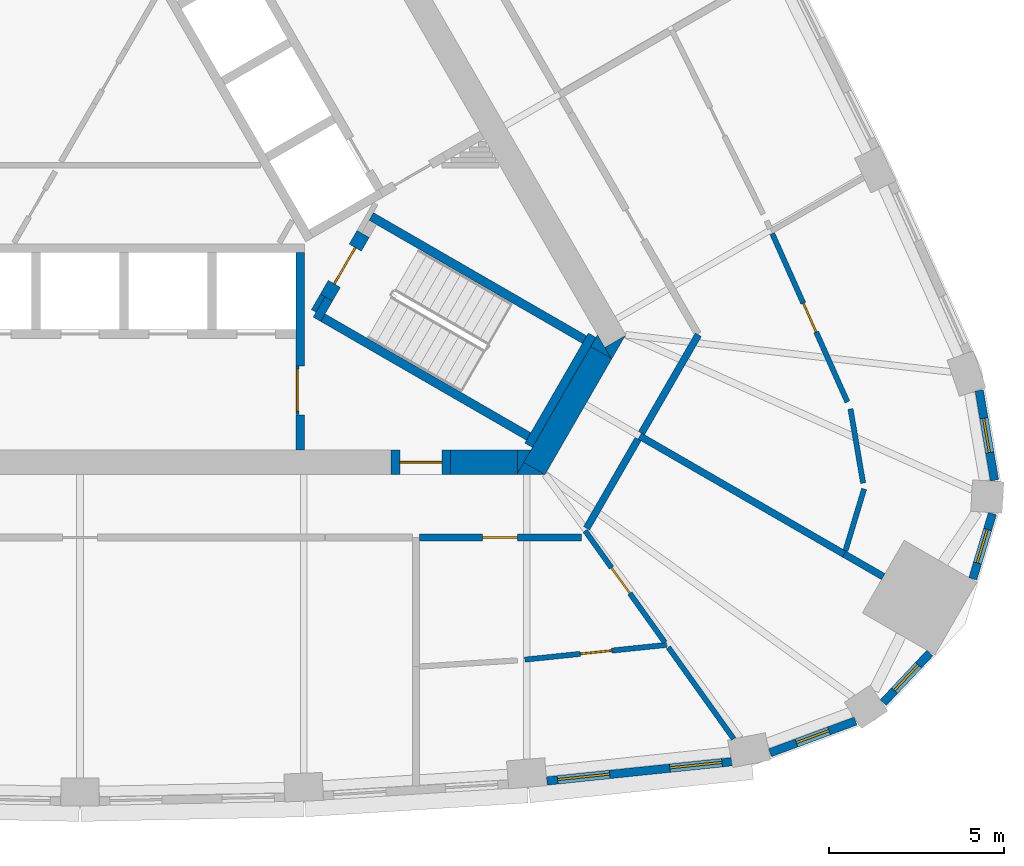
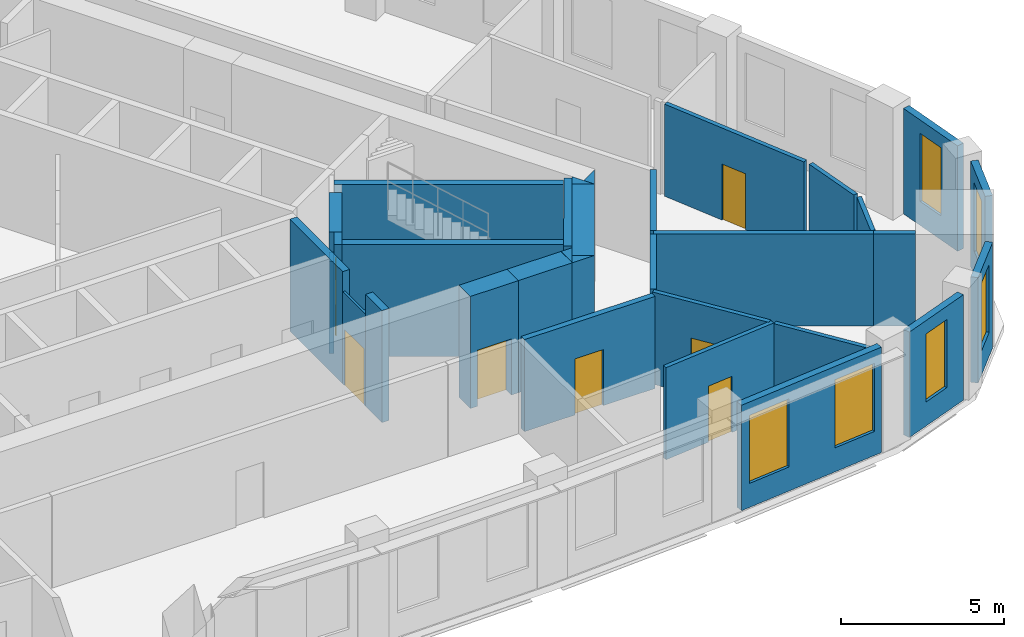
# One storey, part 6 of 10: 32 walls, 7 doors, 6 windows, 13 openings.
"""IFC4 building model written with IfcOpenShell, lengths in metres."""

from ifc_helpers import new_model, si_unit, direction, frame, frame_2d, origin, place, context, subcontext, project, spatial, polyline, rectangle, outline, extrude, material, layer, layer_set, type_object, element, fill, save


model = new_model("IFC4")

# Units and contexts
model_context = context("Model", 3, precision=1e-05, world=origin(), true_north=direction((0.0, 1.0)))
body_context = subcontext(model_context, "Body", "Model", "MODEL_VIEW")
ifc_project = project(units=[si_unit("LENGTHUNIT", "METRE"), si_unit("AREAUNIT", "SQUARE_METRE"), si_unit("VOLUMEUNIT", "CUBIC_METRE"), si_unit("PLANEANGLEUNIT", "RADIAN"), si_unit("MASSUNIT", "GRAM", prefix="KILO")], contexts=[model_context])

# Site, building, storey
site_placement = place(None, origin())
site = spatial("IfcSite", under=ifc_project, at=site_placement, CompositionType="ELEMENT")
building_placement = place(site_placement, origin())
building = spatial("IfcBuilding", under=site, at=building_placement, Name="Mestral Congress Tower", CompositionType="ELEMENT")
storey_placement = place(building_placement, frame((0.0, 0.0, 243.60009765625)))
storey = spatial("IfcBuildingStorey", under=building, at=storey_placement, Name="L57", CompositionType="ELEMENT", Elevation=243.60009765625)

# Wall
ifc_material_1 = material(Name="Fire-rated board partition")
ifc_layer_1 = layer(ifc_material_1, 0.14990234375)
ifc_layer_set_1 = layer_set([ifc_layer_1], Name="Fire-rated board partition")
wall_type_1 = type_object("IfcWallType", Name="Core partition 150", PredefinedType="PARTITIONING", material=ifc_layer_set_1)
wall_1_placement = place(storey_placement, frame((6.94482421875, -5.22216796875, 0.0), z_axis=(0.0, 0.0, 1.0), x_axis=(-0.499818422106, -0.866130212453, 0.0)))
element("IfcWall", 1, at=wall_1_placement, inside=storey, type_object=wall_type_1, Name="L57 core wall", PredefinedType="PARTITIONING", context=body_context, shape_type="SweptSolid", body=[
    extrude(rectangle(XDim=0.513916015625, YDim=0.14990234375, at=frame_2d((0.2568359375, 0.0))), origin(), (0.0, 0.0, 1.0), 3.449951171875),
])

# Wall, opening, door
ifc_layer_2 = layer(ifc_material_1, 0.090087890625)
ifc_layer_set_2 = layer_set([ifc_layer_2], Name="Fire-rated board partition")
wall_type_2 = type_object("IfcWallType", Name="Core partition 150 door-wall 90", PredefinedType="PARTITIONING", material=ifc_layer_set_2)
wall_2_placement = place(storey_placement, frame((6.219970703125, -7.23681640625, 0.0), z_axis=(0.0, 0.0, 1.0), x_axis=(0.0, -1.0, 0.0)))
wall_2 = element("IfcWall", 2, at=wall_2_placement, inside=storey, type_object=wall_type_2, Name="L57 door wall", PredefinedType="PARTITIONING", context=body_context, shape_type="SweptSolid", body=[
    extrude(rectangle(XDim=1.400146484375, YDim=0.090087890625, at=frame_2d((0.7001953125, 0.0))), origin(), (0.0, 0.0, 1.0), 3.449951171875),
])
opening_1_placement = place(wall_2_placement, frame((0.10009765625, 0.0, 0.0)))
opening_1 = element("IfcOpeningElement", 3, at=opening_1_placement, cuts=wall_2, Name="Opening LB0-WL1", PredefinedType="OPENING", context=body_context, shape_type="SweptSolid", body=[
    extrude(rectangle(XDim=1.199951171875, YDim=2.10009765625, at=frame_2d((0.60009765625, 1.050048828125))), frame((0.0, 0.054931640625, 0.0), z_axis=(0.0, -1.0, 0.0), x_axis=(1.0, 0.0, 0.0)), (0.0, 0.0, 1.0), 0.110107421875),
])
ifc_material_2 = material(Name="Fire-rated steel door set", Category="steel")
door_type_1 = type_object("IfcDoorType", Name="Core door LB 1200x2100", OperationType="SINGLE_SWING_LEFT", PredefinedType="DOOR", material=ifc_material_2)
door_1_placement = place(opening_1_placement, origin())
door_1 = element("IfcDoor", 4, at=door_1_placement, inside=storey, type_object=door_type_1, Name="Door LB0-WL1", OperationType="SINGLE_SWING_LEFT", OverallHeight=2.10009765625, OverallWidth=1.199951171875, PredefinedType="DOOR", context=body_context, shape_type="SweptSolid", body=[
    extrude(rectangle(XDim=1.199951171875, YDim=2.10009765625, at=frame_2d((0.60009765625, 1.050048828125))), frame((0.0, 0.02490234375, 0.0), z_axis=(0.0, -1.0, 0.0), x_axis=(1.0, 0.0, 0.0)), (0.0, 0.0, 1.0), 0.050048828125),
])
fill(opening_1, door_1)

# Walls
ifc_material_3 = material(Name="Concrete C60/75", Category="concrete")
ifc_layer_3 = layer(ifc_material_3, 0.699951171875)
ifc_layer_set_3 = layer_set([ifc_layer_3], Name="Concrete C60/75")
wall_type_3 = type_object("IfcWallType", Name="Core wall RC 700", PredefinedType="SOLIDWALL", material=ifc_layer_set_3)
placement = place(storey_placement, origin())
element("IfcWall", 5, at=placement, inside=storey, type_object=wall_type_3, Name="L57 core wall", PredefinedType="SOLIDWALL", context=body_context, shape_type="SweptSolid", body=[
    extrude(outline(polyline([(15.213134765625, -7.050048828125), (15.019287109375, -6.714111328125), (15.60107421875, -6.3779296875), (15.213134765625, -7.050048828125)])), origin(), (0.0, 0.0, 1.0), 4.199951171875),
])
wall_4_placement = place(storey_placement, frame((13.002685546875, -10.1787109375, 0.0), z_axis=(0.0, 0.0, 1.0), x_axis=(0.499972675833, 0.866041178825, 0.0)))
element("IfcWall", 6, at=wall_4_placement, inside=storey, type_object=wall_type_3, Name="L57 core wall", PredefinedType="SOLIDWALL", context=body_context, shape_type="SweptSolid", body=[
    extrude(rectangle(XDim=3.828857421875, YDim=0.699951171875, at=frame_2d((1.91455078125, 0.0))), origin(), (0.0, 0.0, 1.0), 4.199951171875),
])
element("IfcWall", 7, at=placement, inside=storey, type_object=wall_type_3, Name="L57 core wall", PredefinedType="SOLIDWALL", context=body_context, shape_type="SweptSolid", body=[
    extrude(outline(polyline([(12.49951171875, -10.35009765625), (12.698486328125, -10.00537109375), (13.295654296875, -10.35009765625), (12.49951171875, -10.35009765625)])), origin(), (0.0, 0.0, 1.0), 4.199951171875),
])
element("IfcWall", 8, at=placement, inside=storey, type_object=wall_type_3, Name="L57 core wall", PredefinedType="SOLIDWALL", context=body_context, shape_type="SweptSolid", body=[
    extrude(outline(polyline([(14.80908203125, -6.35009765625), (15.197265625, -7.022216796875), (14.614990234375, -6.68603515625), (14.80908203125, -6.35009765625)])), origin(), (0.0, 0.0, 1.0), 4.199951171875),
])
wall_7_placement = place(storey_placement, frame((10.6044921875, -10.0, 0.0), z_axis=(0.0, 0.0, 1.0), x_axis=(1.0, 0.0, 0.0)))
element("IfcWall", 9, at=wall_7_placement, inside=storey, type_object=wall_type_3, Name="L57 core wall", PredefinedType="SOLIDWALL", context=body_context, shape_type="SweptSolid", body=[
    extrude(rectangle(XDim=1.909423828125, YDim=0.699951171875, at=frame_2d((0.95458984375, 0.0))), origin(), (0.0, 0.0, 1.0), 4.199951171875),
])
element("IfcWall", 10, at=placement, inside=storey, type_object=wall_type_3, Name="L57 core wall", PredefinedType="SOLIDWALL", context=body_context, shape_type="SweptSolid", body=[
    extrude(outline(polyline([(12.90380859375, -9.64990234375), (12.515869140625, -10.322021484375), (12.515869140625, -9.64990234375), (12.90380859375, -9.64990234375)])), origin(), (0.0, 0.0, 1.0), 4.199951171875),
])

# Wall, opening, door
wall_9_placement = place(storey_placement, frame((10.6044921875, -10.0, 0.0), z_axis=(0.0, 0.0, 1.0), x_axis=(-1.0, 0.0, 0.0)))
wall_9 = element("IfcWall", 11, at=wall_9_placement, inside=storey, type_object=wall_type_3, Name="L57 door wall", PredefinedType="SOLIDWALL", context=body_context, shape_type="SweptSolid", body=[
    extrude(rectangle(XDim=1.699951171875, YDim=0.699951171875, at=frame_2d((0.85009765625, 0.0))), origin(), (0.0, 0.0, 1.0), 4.199951171875),
])
opening_2_placement = place(wall_9_placement, frame((0.25, 0.0, 0.0)))
opening_2 = element("IfcOpeningElement", 12, at=opening_2_placement, cuts=wall_9, Name="Opening XD1", PredefinedType="OPENING", context=body_context, shape_type="SweptSolid", body=[
    extrude(rectangle(XDim=1.199951171875, YDim=2.10009765625, at=frame_2d((0.60009765625, 1.050048828125))), frame((0.0, 0.35986328125, 0.0), z_axis=(0.0, -1.0, 0.0), x_axis=(1.0, 0.0, 0.0)), (0.0, 0.0, 1.0), 0.719970703125),
])
door_type_2 = type_object("IfcDoorType", Name="Core door XD 1200x2100", OperationType="SINGLE_SWING_LEFT", PredefinedType="DOOR", material=ifc_material_2)
door_2_placement = place(opening_2_placement, origin())
door_2 = element("IfcDoor", 13, at=door_2_placement, inside=storey, type_object=door_type_2, Name="Door XD1", OperationType="SINGLE_SWING_LEFT", OverallHeight=2.10009765625, OverallWidth=1.199951171875, PredefinedType="DOOR", context=body_context, shape_type="SweptSolid", body=[
    extrude(rectangle(XDim=1.199951171875, YDim=2.10009765625, at=frame_2d((0.60009765625, 1.050048828125))), frame((0.0, 0.02490234375, 0.0), z_axis=(0.0, -1.0, 0.0), x_axis=(1.0, 0.0, 0.0)), (0.0, 0.0, 1.0), 0.050048828125),
])
fill(opening_2, door_2)

# Wall, openings, windows
ifc_material_4 = material(Name="Precast concrete C40/50 with limestone facing", Category="masonry")
ifc_layer_4 = layer(ifc_material_4, 0.239990234375)
ifc_layer_set_4 = layer_set([ifc_layer_4], Name="Precast concrete C40/50 with limestone facing")
wall_type_4 = type_object("IfcWallType", Name="Facade stone wall 240", PredefinedType="SOLIDWALL", material=ifc_layer_set_4)
wall_10_placement = place(storey_placement, frame((13.362060546875, -19.12109375, 0.0), z_axis=(0.0, 0.0, 1.0), x_axis=(0.994621961215, 0.103571976272, 0.0)))
wall_10 = element("IfcWall", 14, at=wall_10_placement, inside=storey, type_object=wall_type_4, Name="Facade wall F0-05", PredefinedType="SOLIDWALL", context=body_context, shape_type="SweptSolid", body=[
    extrude(rectangle(XDim=5.310791015625, YDim=0.239990234375, at=frame_2d((2.6552734375, 0.0))), origin(), (0.0, 0.0, 1.0), 3.949951171875),
])
opening_3_placement = place(wall_10_placement, frame((0.306396484375, 0.0, 0.89990234375)))
opening_3 = element("IfcOpeningElement", 15, at=opening_3_placement, cuts=wall_10, Name="Opening W4", PredefinedType="OPENING", context=body_context, shape_type="SweptSolid", body=[
    extrude(rectangle(XDim=1.5, YDim=2.550048828125, at=frame_2d((0.75, 1.27490234375))), frame((0.0, 0.1298828125, 0.0), z_axis=(0.0, -1.0, 0.0), x_axis=(1.0, 0.0, 0.0)), (0.0, 0.0, 1.0), 0.260009765625),
])
opening_4_placement = place(wall_10_placement, frame((3.539306640625, 0.0, 0.89990234375)))
opening_4 = element("IfcOpeningElement", 16, at=opening_4_placement, cuts=wall_10, Name="Opening W4", PredefinedType="OPENING", context=body_context, shape_type="SweptSolid", body=[
    extrude(rectangle(XDim=1.5, YDim=2.550048828125, at=frame_2d((0.75, 1.27490234375))), frame((0.0, 0.1298828125, 0.0), z_axis=(0.0, -1.0, 0.0), x_axis=(1.0, 0.0, 0.0)), (0.0, 0.0, 1.0), 0.260009765625),
])
ifc_material_5 = material(Name="Clear low-emissivity double glazing", Category="glass")
window_type_1 = type_object("IfcWindowType", Name="Facade punched window 1500 x 2550 sill 900", PartitioningType="SINGLE_PANEL", PredefinedType="WINDOW", material=ifc_material_5)
window_1_placement = place(opening_3_placement, origin())
window_1 = element("IfcWindow", 17, at=window_1_placement, inside=storey, type_object=window_type_1, Name="Window F0-05a", OverallHeight=2.550048828125, OverallWidth=1.5, PartitioningType="SINGLE_PANEL", PredefinedType="WINDOW", context=body_context, shape_type="SweptSolid", body=[
    extrude(rectangle(XDim=1.5, YDim=2.550048828125, at=frame_2d((0.75, 1.27490234375))), frame((0.0, 0.0400390625, 0.0), z_axis=(0.0, -1.0, 0.0), x_axis=(1.0, 0.0, 0.0)), (0.0, 0.0, 1.0), 0.06005859375),
])
fill(opening_3, window_1)
window_2_placement = place(opening_4_placement, origin())
window_2 = element("IfcWindow", 18, at=window_2_placement, inside=storey, type_object=window_type_1, Name="Window F0-05b", OverallHeight=2.550048828125, OverallWidth=1.5, PartitioningType="SINGLE_PANEL", PredefinedType="WINDOW", context=body_context, shape_type="SweptSolid", body=[
    extrude(rectangle(XDim=1.5, YDim=2.550048828125, at=frame_2d((0.75, 1.27490234375))), frame((0.0, 0.0400390625, 0.0), z_axis=(0.0, -1.0, 0.0), x_axis=(1.0, 0.0, 0.0)), (0.0, 0.0, 1.0), 0.06005859375),
])
fill(opening_4, window_2)

# Wall, opening, window
wall_11_placement = place(storey_placement, frame((19.747802734375, -18.31396484375, 0.0), z_axis=(0.0, 0.0, 1.0), x_axis=(0.937569171184, 0.347798863203, 0.0)))
wall_11 = element("IfcWall", 19, at=wall_11_placement, inside=storey, type_object=wall_type_4, Name="Facade wall K0-0", PredefinedType="SOLIDWALL", context=body_context, shape_type="SweptSolid", body=[
    extrude(rectangle(XDim=2.609130859375, YDim=0.239990234375, at=frame_2d((1.3046875, 0.0))), origin(), (0.0, 0.0, 1.0), 3.949951171875),
])
opening_5_placement = place(wall_11_placement, frame((0.8046875, 0.0, 0.89990234375)))
opening_5 = element("IfcOpeningElement", 20, at=opening_5_placement, cuts=wall_11, Name="Opening W5", PredefinedType="OPENING", context=body_context, shape_type="SweptSolid", body=[
    extrude(rectangle(XDim=1.0, YDim=2.550048828125, at=frame_2d((0.5, 1.27490234375))), frame((0.0, 0.1298828125, 0.0), z_axis=(0.0, -1.0, 0.0), x_axis=(1.0, 0.0, 0.0)), (0.0, 0.0, 1.0), 0.260009765625),
])
window_type_2 = type_object("IfcWindowType", Name="Facade punched window 1000 x 2550 sill 900", PartitioningType="SINGLE_PANEL", PredefinedType="WINDOW", material=ifc_material_5)
window_3_placement = place(opening_5_placement, origin())
window_3 = element("IfcWindow", 21, at=window_3_placement, inside=storey, type_object=window_type_2, Name="Window K0-0", OverallHeight=2.550048828125, OverallWidth=1.0, PartitioningType="SINGLE_PANEL", PredefinedType="WINDOW", context=body_context, shape_type="SweptSolid", body=[
    extrude(rectangle(XDim=1.0, YDim=2.550048828125, at=frame_2d((0.5, 1.27490234375))), frame((0.0, 0.0400390625, 0.0), z_axis=(0.0, -1.0, 0.0), x_axis=(1.0, 0.0, 0.0)), (0.0, 0.0, 1.0), 0.06005859375),
])
fill(opening_5, window_3)

wall_12_placement = place(storey_placement, frame((22.989013671875, -16.87890625, 0.0), z_axis=(0.0, 0.0, 1.0), x_axis=(0.684770274166, 0.728758994194, 0.0)))
wall_12 = element("IfcWall", 22, at=wall_12_placement, inside=storey, type_object=wall_type_4, Name="Facade wall K0-1", PredefinedType="SOLIDWALL", context=body_context, shape_type="SweptSolid", body=[
    extrude(rectangle(XDim=1.947998046875, YDim=0.239990234375, at=frame_2d((0.97412109375, 0.0))), origin(), (0.0, 0.0, 1.0), 3.949951171875),
])
opening_6_placement = place(wall_12_placement, frame((0.47412109375, 0.0, 0.89990234375)))
opening_6 = element("IfcOpeningElement", 23, at=opening_6_placement, cuts=wall_12, Name="Opening W5", PredefinedType="OPENING", context=body_context, shape_type="SweptSolid", body=[
    extrude(rectangle(XDim=1.0, YDim=2.550048828125, at=frame_2d((0.5, 1.27490234375))), frame((0.0, 0.1298828125, 0.0), z_axis=(0.0, -1.0, 0.0), x_axis=(1.0, 0.0, 0.0)), (0.0, 0.0, 1.0), 0.260009765625),
])
window_4_placement = place(opening_6_placement, origin())
window_4 = element("IfcWindow", 24, at=window_4_placement, inside=storey, type_object=window_type_2, Name="Window K0-1", OverallHeight=2.550048828125, OverallWidth=1.0, PartitioningType="SINGLE_PANEL", PredefinedType="WINDOW", context=body_context, shape_type="SweptSolid", body=[
    extrude(rectangle(XDim=1.0, YDim=2.550048828125, at=frame_2d((0.5, 1.27490234375))), frame((0.0, 0.0400390625, 0.0), z_axis=(0.0, -1.0, 0.0), x_axis=(1.0, 0.0, 0.0)), (0.0, 0.0, 1.0), 0.06005859375),
])
fill(opening_6, window_4)

wall_13_placement = place(storey_placement, frame((25.5498046875, -13.334716796875, 0.0), z_axis=(0.0, 0.0, 1.0), x_axis=(0.288727209095, 0.957411405159, 0.0)))
wall_13 = element("IfcWall", 25, at=wall_13_placement, inside=storey, type_object=wall_type_4, Name="Facade wall K0-2", PredefinedType="SOLIDWALL", context=body_context, shape_type="SweptSolid", body=[
    extrude(rectangle(XDim=1.9482421875, YDim=0.239990234375, at=frame_2d((0.97412109375, 0.0))), origin(), (0.0, 0.0, 1.0), 3.949951171875),
])
opening_7_placement = place(wall_13_placement, frame((0.47412109375, 0.0, 0.89990234375)))
opening_7 = element("IfcOpeningElement", 26, at=opening_7_placement, cuts=wall_13, Name="Opening W5", PredefinedType="OPENING", context=body_context, shape_type="SweptSolid", body=[
    extrude(rectangle(XDim=1.0, YDim=2.550048828125, at=frame_2d((0.5, 1.27490234375))), frame((0.0, 0.1298828125, 0.0), z_axis=(0.0, -1.0, 0.0), x_axis=(1.0, 0.0, 0.0)), (0.0, 0.0, 1.0), 0.260009765625),
])
window_5_placement = place(opening_7_placement, origin())
window_5 = element("IfcWindow", 27, at=window_5_placement, inside=storey, type_object=window_type_2, Name="Window K0-2", OverallHeight=2.550048828125, OverallWidth=1.0, PartitioningType="SINGLE_PANEL", PredefinedType="WINDOW", context=body_context, shape_type="SweptSolid", body=[
    extrude(rectangle(XDim=1.0, YDim=2.550048828125, at=frame_2d((0.5, 1.27490234375))), frame((0.0, 0.0400390625, 0.0), z_axis=(0.0, -1.0, 0.0), x_axis=(1.0, 0.0, 0.0)), (0.0, 0.0, 1.0), 0.06005859375),
])
fill(opening_7, window_5)

wall_14_placement = place(storey_placement, frame((26.171630859375, -10.517333984375, 0.0), z_axis=(0.0, 0.0, 1.0), x_axis=(-0.167660055546, 0.985844869021, 0.0)))
wall_14 = element("IfcWall", 28, at=wall_14_placement, inside=storey, type_object=wall_type_4, Name="Facade wall K0-3", PredefinedType="SOLIDWALL", context=body_context, shape_type="SweptSolid", body=[
    extrude(rectangle(XDim=2.609375, YDim=0.239990234375, at=frame_2d((1.3046875, 0.0))), origin(), (0.0, 0.0, 1.0), 3.949951171875),
])
opening_8_placement = place(wall_14_placement, frame((0.8046875, 0.0, 0.89990234375)))
opening_8 = element("IfcOpeningElement", 29, at=opening_8_placement, cuts=wall_14, Name="Opening W5", PredefinedType="OPENING", context=body_context, shape_type="SweptSolid", body=[
    extrude(rectangle(XDim=1.0, YDim=2.550048828125, at=frame_2d((0.5, 1.27490234375))), frame((0.0, 0.1298828125, 0.0), z_axis=(0.0, -1.0, 0.0), x_axis=(1.0, 0.0, 0.0)), (0.0, 0.0, 1.0), 0.260009765625),
])
window_6_placement = place(opening_8_placement, origin())
window_6 = element("IfcWindow", 30, at=window_6_placement, inside=storey, type_object=window_type_2, Name="Window K0-3", OverallHeight=2.550048828125, OverallWidth=1.0, PartitioningType="SINGLE_PANEL", PredefinedType="WINDOW", context=body_context, shape_type="SweptSolid", body=[
    extrude(rectangle(XDim=1.0, YDim=2.550048828125, at=frame_2d((0.5, 1.27490234375))), frame((0.0, 0.0400390625, 0.0), z_axis=(0.0, -1.0, 0.0), x_axis=(1.0, 0.0, 0.0)), (0.0, 0.0, 1.0), 0.06005859375),
])
fill(opening_8, window_6)

# Wall, opening, door
ifc_material_6 = material(Name="Plasterboard partition on steel studs", Category="steel")
ifc_layer_5 = layer(ifc_material_6, 0.14990234375)
ifc_layer_set_5 = layer_set([ifc_layer_5], Name="Plasterboard partition on steel studs")
wall_type_5 = type_object("IfcWallType", Name="Office partition 150", PredefinedType="PARTITIONING", material=ifc_layer_set_5)
wall_15_placement = place(storey_placement, frame((16.788330078125, -15.225341796875, 0.0), z_axis=(0.0, 0.0, 1.0), x_axis=(-0.994622518406, -0.103566625322, 0.0)))
wall_15 = element("IfcWall", 31, at=wall_15_placement, inside=storey, type_object=wall_type_5, Name="Partition", PredefinedType="PARTITIONING", context=body_context, shape_type="SweptSolid", body=[
    extrude(rectangle(XDim=4.08056640625, YDim=0.14990234375, at=frame_2d((2.040283203125, 0.0))), origin(), (0.0, 0.0, 1.0), 3.449951171875),
])
opening_9_placement = place(wall_15_placement, frame((1.58056640625, 0.0, 0.0)))
opening_9 = element("IfcOpeningElement", 32, at=opening_9_placement, cuts=wall_15, Name="Opening O09-002", PredefinedType="OPENING", context=body_context, shape_type="SweptSolid", body=[
    extrude(rectangle(XDim=0.89990234375, YDim=2.10009765625, at=frame_2d((0.449951171875, 1.050048828125))), frame((0.0, 0.0849609375, 0.0), z_axis=(0.0, -1.0, 0.0), x_axis=(1.0, 0.0, 0.0)), (0.0, 0.0, 1.0), 0.169921875),
])
ifc_material_7 = material(Name="Timber door set", Category="wood")
door_type_3 = type_object("IfcDoorType", Name="Office door 900x2100", OperationType="SINGLE_SWING_LEFT", PredefinedType="DOOR", material=ifc_material_7)
door_3_placement = place(opening_9_placement, origin())
door_3 = element("IfcDoor", 33, at=door_3_placement, inside=storey, type_object=door_type_3, Name="Door O09-002", OperationType="SINGLE_SWING_LEFT", OverallHeight=2.10009765625, OverallWidth=0.89990234375, PredefinedType="DOOR", context=body_context, shape_type="SweptSolid", body=[
    extrude(rectangle(XDim=0.89990234375, YDim=2.10009765625, at=frame_2d((0.449951171875, 1.050048828125))), frame((0.0, 0.02490234375, 0.0), z_axis=(0.0, -1.0, 0.0), x_axis=(1.0, 0.0, 0.0)), (0.0, 0.0, 1.0), 0.050048828125),
])
fill(opening_9, door_3)

# Wall
wall_16_placement = place(storey_placement, frame((16.83837890625, -15.29541015625, 0.0), z_axis=(0.0, 0.0, 1.0), x_axis=(0.581015803238, -0.813892275666, 0.0)))
element("IfcWall", 34, at=wall_16_placement, inside=storey, type_object=wall_type_5, Name="Partition", PredefinedType="PARTITIONING", context=body_context, shape_type="SweptSolid", body=[
    extrude(rectangle(XDim=3.219482421875, YDim=0.14990234375, at=frame_2d((1.60986328125, 0.0))), origin(), (0.0, 0.0, 1.0), 3.449951171875),
])

# Wall, opening, door
wall_17_placement = place(storey_placement, frame((14.45703125, -11.959716796875, 0.0), z_axis=(0.0, 0.0, 1.0), x_axis=(0.581049944662, -0.81386790194, 0.0)))
wall_17 = element("IfcWall", 35, at=wall_17_placement, inside=storey, type_object=wall_type_5, Name="Partition", PredefinedType="PARTITIONING", context=body_context, shape_type="SweptSolid", body=[
    extrude(rectangle(XDim=3.926025390625, YDim=0.14990234375, at=frame_2d((1.962890625, 0.0))), origin(), (0.0, 0.0, 1.0), 3.449951171875),
])
opening_10_placement = place(wall_17_placement, frame((1.300048828125, 0.0, 0.0)))
opening_10 = element("IfcOpeningElement", 36, at=opening_10_placement, cuts=wall_17, Name="Opening O09-004", PredefinedType="OPENING", context=body_context, shape_type="SweptSolid", body=[
    extrude(rectangle(XDim=0.89990234375, YDim=2.10009765625, at=frame_2d((0.449951171875, 1.050048828125))), frame((0.0, 0.0849609375, 0.0), z_axis=(0.0, -1.0, 0.0), x_axis=(1.0, 0.0, 0.0)), (0.0, 0.0, 1.0), 0.169921875),
])
door_4_placement = place(opening_10_placement, origin())
door_4 = element("IfcDoor", 37, at=door_4_placement, inside=storey, type_object=door_type_3, Name="Door O09-004", OperationType="SINGLE_SWING_LEFT", OverallHeight=2.10009765625, OverallWidth=0.89990234375, PredefinedType="DOOR", context=body_context, shape_type="SweptSolid", body=[
    extrude(rectangle(XDim=0.89990234375, YDim=2.10009765625, at=frame_2d((0.449951171875, 1.050048828125))), frame((0.0, 0.02490234375, 0.0), z_axis=(0.0, -1.0, 0.0), x_axis=(1.0, 0.0, 0.0)), (0.0, 0.0, 1.0), 0.050048828125),
])
fill(opening_10, door_4)

# Walls
wall_18_placement = place(storey_placement, frame((21.90625, -12.531982421875, 0.0), z_axis=(0.0, 0.0, 1.0), x_axis=(0.288789848591, 0.957392512688, 0.0)))
element("IfcWall", 38, at=wall_18_placement, inside=storey, type_object=wall_type_5, Name="Partition", PredefinedType="PARTITIONING", context=body_context, shape_type="SweptSolid", body=[
    extrude(rectangle(XDim=1.84814453125, YDim=0.14990234375, at=frame_2d((0.924072265625, 0.0))), origin(), (0.0, 0.0, 1.0), 3.449951171875),
])
wall_19_placement = place(storey_placement, frame((22.41162109375, -10.5966796875, 0.0), z_axis=(0.0, 0.0, 1.0), x_axis=(-0.167612004459, 0.985853039738, 0.0)))
element("IfcWall", 39, at=wall_19_placement, inside=storey, type_object=wall_type_5, Name="Partition", PredefinedType="PARTITIONING", context=body_context, shape_type="SweptSolid", body=[
    extrude(rectangle(XDim=2.15576171875, YDim=0.14990234375, at=frame_2d((1.077880859375, 0.0))), origin(), (0.0, 0.0, 1.0), 3.449951171875),
])

# Wall, opening, door
wall_20_placement = place(storey_placement, frame((19.81103515625, -3.455078125, 0.0), z_axis=(0.0, 0.0, 1.0), x_axis=(0.407605393886, -0.913158169692, 0.0)))
wall_20 = element("IfcWall", 40, at=wall_20_placement, inside=storey, type_object=wall_type_5, Name="Partition", PredefinedType="PARTITIONING", context=body_context, shape_type="SweptSolid", body=[
    extrude(rectangle(XDim=5.279296875, YDim=0.14990234375, at=frame_2d((2.6396484375, 0.0))), origin(), (0.0, 0.0, 1.0), 3.449951171875),
])
opening_11_placement = place(wall_20_placement, frame((2.179443359375, 0.0, 0.0)))
opening_11 = element("IfcOpeningElement", 41, at=opening_11_placement, cuts=wall_20, Name="Opening O09-005", PredefinedType="OPENING", context=body_context, shape_type="SweptSolid", body=[
    extrude(rectangle(XDim=0.89990234375, YDim=2.10009765625, at=frame_2d((0.449951171875, 1.050048828125))), frame((0.0, 0.0849609375, 0.0), z_axis=(0.0, -1.0, 0.0), x_axis=(1.0, 0.0, 0.0)), (0.0, 0.0, 1.0), 0.169921875),
])
door_5_placement = place(opening_11_placement, origin())
door_5 = element("IfcDoor", 42, at=door_5_placement, inside=storey, type_object=door_type_3, Name="Door O09-005", OperationType="SINGLE_SWING_LEFT", OverallHeight=2.10009765625, OverallWidth=0.89990234375, PredefinedType="DOOR", context=body_context, shape_type="SweptSolid", body=[
    extrude(rectangle(XDim=0.89990234375, YDim=2.10009765625, at=frame_2d((0.449951171875, 1.050048828125))), frame((0.0, 0.02490234375, 0.0), z_axis=(0.0, -1.0, 0.0), x_axis=(1.0, 0.0, 0.0)), (0.0, 0.0, 1.0), 0.050048828125),
])
fill(opening_11, door_5)

ifc_material_8 = material(Name="Dense masonry wall, plastered", Category="masonry")
ifc_layer_6 = layer(ifc_material_8, 0.199951171875)
ifc_layer_set_6 = layer_set([ifc_layer_6], Name="Dense masonry wall, plastered")
wall_type_6 = type_object("IfcWallType", Name="Office tenancy wall 200", PredefinedType="PARTITIONING", material=ifc_layer_set_6)
wall_21_placement = place(storey_placement, frame((9.7197265625, -12.14990234375, 0.0), z_axis=(0.0, 0.0, 1.0), x_axis=(1.0, 0.0, 0.0)))
wall_21 = element("IfcWall", 43, at=wall_21_placement, inside=storey, type_object=wall_type_6, Name="Tenancy wall", PredefinedType="PARTITIONING", context=body_context, shape_type="SweptSolid", body=[
    extrude(rectangle(XDim=4.62744140625, YDim=0.199951171875, at=frame_2d((2.313720703125, 0.0))), origin(), (0.0, 0.0, 1.0), 3.449951171875),
])
opening_12_placement = place(wall_21_placement, frame((1.800048828125, 0.0, 0.0)))
opening_12 = element("IfcOpeningElement", 44, at=opening_12_placement, cuts=wall_21, Name="Opening O09-003", PredefinedType="OPENING", context=body_context, shape_type="SweptSolid", body=[
    extrude(rectangle(XDim=1.0, YDim=2.10009765625, at=frame_2d((0.5, 1.050048828125))), frame((0.0, 0.10986328125, 0.0), z_axis=(0.0, -1.0, 0.0), x_axis=(1.0, 0.0, 0.0)), (0.0, 0.0, 1.0), 0.219970703125),
])
ifc_material_9 = material(Name="Fire-rated timber door set", Category="wood")
door_type_4 = type_object("IfcDoorType", Name="Office tenancy entrance door 1000x2100", OperationType="SINGLE_SWING_LEFT", PredefinedType="DOOR", material=ifc_material_9)
door_6_placement = place(opening_12_placement, origin())
door_6 = element("IfcDoor", 45, at=door_6_placement, inside=storey, type_object=door_type_4, Name="Door O09-003", OperationType="SINGLE_SWING_LEFT", OverallHeight=2.10009765625, OverallWidth=1.0, PredefinedType="DOOR", context=body_context, shape_type="SweptSolid", body=[
    extrude(rectangle(XDim=1.0, YDim=2.10009765625, at=frame_2d((0.5, 1.050048828125))), frame((0.0, 0.02490234375, 0.0), z_axis=(0.0, -1.0, 0.0), x_axis=(1.0, 0.0, 0.0)), (0.0, 0.0, 1.0), 0.050048828125),
])
fill(opening_12, door_6)

# Walls
wall_22_placement = place(storey_placement, frame((21.873046875, -12.62841796875, 0.0), z_axis=(0.0, 0.0, 1.0), x_axis=(0.866052988967, -0.499952218018, 0.0)))
element("IfcWall", 46, at=wall_22_placement, inside=storey, type_object=wall_type_6, Name="Tenancy wall", PredefinedType="PARTITIONING", context=body_context, shape_type="SweptSolid", body=[
    extrude(rectangle(XDim=1.287841796875, YDim=0.199951171875, at=frame_2d((0.64404296875, 0.0))), origin(), (0.0, 0.0, 1.0), 3.449951171875),
])
wall_23_placement = place(storey_placement, frame((16.021484375, -9.25, 0.0), z_axis=(0.0, 0.0, 1.0), x_axis=(0.86602692059, -0.499997372806, 0.0)))
element("IfcWall", 47, at=wall_23_placement, inside=storey, type_object=wall_type_6, Name="Tenancy wall", PredefinedType="PARTITIONING", context=body_context, shape_type="SweptSolid", body=[
    extrude(rectangle(XDim=6.7646484375, YDim=0.199951171875, at=frame_2d((3.38232421875, 0.0))), origin(), (0.0, 0.0, 1.0), 3.449951171875),
])
wall_24_placement = place(storey_placement, frame((14.498291015625, -11.88818359375, 0.0), z_axis=(0.0, 0.0, 1.0), x_axis=(0.500006981563, 0.86602137294, 0.0)))
element("IfcWall", 48, at=wall_24_placement, inside=storey, type_object=wall_type_6, Name="Tenancy wall", PredefinedType="PARTITIONING", context=body_context, shape_type="SweptSolid", body=[
    extrude(rectangle(XDim=2.9462890625, YDim=0.199951171875, at=frame_2d((1.47314453125, 0.0))), origin(), (0.0, 0.0, 1.0), 3.449951171875),
])
wall_25_placement = place(storey_placement, frame((16.071533203125, -9.163330078125, 0.0), z_axis=(0.0, 0.0, 1.0), x_axis=(0.500010870188, 0.866019127788, 0.0)))
element("IfcWall", 49, at=wall_25_placement, inside=storey, type_object=wall_type_6, Name="Tenancy wall", PredefinedType="PARTITIONING", context=body_context, shape_type="SweptSolid", body=[
    extrude(rectangle(XDim=3.24853515625, YDim=0.199951171875, at=frame_2d((1.624267578125, 0.0))), origin(), (0.0, 0.0, 1.0), 3.449951171875),
])
ifc_layer_7 = layer(ifc_material_3, 0.25)
ifc_layer_set_7 = layer_set([ifc_layer_7], Name="Concrete C60/75")
wall_type_7 = type_object("IfcWallType", Name="Shaft wall RC 250", PredefinedType="SOLIDWALL", material=ifc_layer_set_7)
wall_26_placement = place(storey_placement, frame((6.300048828125, -7.239990234375, 0.0), z_axis=(0.0, 0.0, 1.0), x_axis=(0.0, 1.0, 0.0)))
element("IfcWall", 50, at=wall_26_placement, inside=storey, type_object=wall_type_7, Name="L57 core wall", PredefinedType="SOLIDWALL", context=body_context, shape_type="SweptSolid", body=[
    extrude(rectangle(XDim=3.239990234375, YDim=0.25, at=frame_2d((1.6201171875, 0.0))), origin(), (0.0, 0.0, 1.0), 4.199951171875),
])
wall_27_placement = place(storey_placement, frame((6.300048828125, -9.64990234375, 0.0), z_axis=(0.0, 0.0, 1.0), x_axis=(0.0, 1.0, 0.0)))
element("IfcWall", 51, at=wall_27_placement, inside=storey, type_object=wall_type_7, Name="L57 core wall", PredefinedType="SOLIDWALL", context=body_context, shape_type="SweptSolid", body=[
    extrude(rectangle(XDim=1.0078125, YDim=0.25, at=frame_2d((0.50390625, 0.0))), origin(), (0.0, 0.0, 1.0), 4.199951171875),
])
ifc_layer_8 = layer(ifc_material_3, 0.25)
ifc_layer_set_8 = layer_set([ifc_layer_8], Name="Concrete C60/75")
wall_type_8 = type_object("IfcWallType", Name="Stair wall RC 250", PredefinedType="SOLIDWALL", material=ifc_layer_set_8)
wall_28_placement = place(storey_placement, frame((12.839599609375, -9.510986328125, 0.0), z_axis=(0.0, 0.0, 1.0), x_axis=(0.500048121057, 0.865997619297, 0.0)))
element("IfcWall", 52, at=wall_28_placement, inside=storey, type_object=wall_type_8, Name="L57 core wall", PredefinedType="SOLIDWALL", context=body_context, shape_type="SweptSolid", body=[
    extrude(rectangle(XDim=3.634033203125, YDim=0.25, at=frame_2d((1.81689453125, 0.0))), origin(), (0.0, 0.0, 1.0), 4.199951171875),
])
wall_29_placement = place(storey_placement, frame((12.83984375, -9.2607421875, 0.0), z_axis=(0.0, 0.0, 1.0), x_axis=(-0.866013990052, 0.500019768644, 0.0)))
element("IfcWall", 53, at=wall_29_placement, inside=storey, type_object=wall_type_8, Name="L57 core wall", PredefinedType="SOLIDWALL", context=body_context, shape_type="SweptSolid", body=[
    extrude(rectangle(XDim=6.800048828125, YDim=0.25, at=frame_2d((3.39990234375, 0.0))), origin(), (0.0, 0.0, 1.0), 4.199951171875),
])
wall_30_placement = place(storey_placement, frame((6.780029296875, -5.906494140625, 0.0), z_axis=(0.0, 0.0, 1.0), x_axis=(0.500223362819, 0.865896406789, 0.0)))
element("IfcWall", 54, at=wall_30_placement, inside=storey, type_object=wall_type_8, Name="L57 core wall", PredefinedType="SOLIDWALL", context=body_context, shape_type="SweptSolid", body=[
    extrude(rectangle(XDim=0.675048828125, YDim=0.25, at=frame_2d((0.33740234375, 0.0))), origin(), (0.0, 0.0, 1.0), 4.199951171875),
])
wall_31_placement = place(storey_placement, frame((8.33447265625, -2.96435546875, 0.0), z_axis=(0.0, 0.0, 1.0), x_axis=(0.866016039709, -0.500016218704, 0.0)))
element("IfcWall", 55, at=wall_31_placement, inside=storey, type_object=wall_type_8, Name="L57 core wall", PredefinedType="SOLIDWALL", context=body_context, shape_type="SweptSolid", body=[
    extrude(rectangle(XDim=7.050048828125, YDim=0.25, at=frame_2d((3.52490234375, 0.0))), origin(), (0.0, 0.0, 1.0), 4.199951171875),
])

# Wall, opening, door
ifc_layer_9 = layer(ifc_material_3, 0.39990234375)
ifc_layer_set_9 = layer_set([ifc_layer_9], Name="Concrete C60/75")
wall_type_9 = type_object("IfcWallType", Name="Stair wall RC 250 door-wall 400", PredefinedType="SOLIDWALL", material=ifc_layer_set_9)
wall_32_placement = place(storey_placement, frame((7.052734375, -5.2841796875, 0.0), z_axis=(0.0, 0.0, 1.0), x_axis=(0.500078061341, 0.865980330357, 0.0)))
wall_32 = element("IfcWall", 56, at=wall_32_placement, inside=storey, type_object=wall_type_9, Name="L57 door wall", PredefinedType="SOLIDWALL", context=body_context, shape_type="SweptSolid", body=[
    extrude(rectangle(XDim=2.099853515625, YDim=0.39990234375, at=frame_2d((1.0498046875, 0.0))), origin(), (0.0, 0.0, 1.0), 4.199951171875),
])
opening_13_placement = place(wall_32_placement, frame((0.449951171875, 0.0, 0.0)))
opening_13 = element("IfcOpeningElement", 57, at=opening_13_placement, cuts=wall_32, Name="Opening ST-D1", PredefinedType="OPENING", context=body_context, shape_type="SweptSolid", body=[
    extrude(rectangle(XDim=1.199951171875, YDim=2.10009765625, at=frame_2d((0.60009765625, 1.050048828125))), frame((0.0, 0.2099609375, 0.0), z_axis=(0.0, -1.0, 0.0), x_axis=(1.0, 0.0, 0.0)), (0.0, 0.0, 1.0), 0.419921875),
])
door_type_5 = type_object("IfcDoorType", Name="Core door ST 1200x2100", OperationType="SINGLE_SWING_LEFT", PredefinedType="DOOR", material=ifc_material_2)
door_7_placement = place(opening_13_placement, origin())
door_7 = element("IfcDoor", 58, at=door_7_placement, inside=storey, type_object=door_type_5, Name="Door ST-D1", OperationType="SINGLE_SWING_LEFT", OverallHeight=2.10009765625, OverallWidth=1.199951171875, PredefinedType="DOOR", context=body_context, shape_type="SweptSolid", body=[
    extrude(rectangle(XDim=1.199951171875, YDim=2.10009765625, at=frame_2d((0.60009765625, 1.050048828125))), frame((0.0, 0.02490234375, 0.0), z_axis=(0.0, -1.0, 0.0), x_axis=(1.0, 0.0, 0.0)), (0.0, 0.0, 1.0), 0.050048828125),
])
fill(opening_13, door_7)

save(model, "model.ifc")
